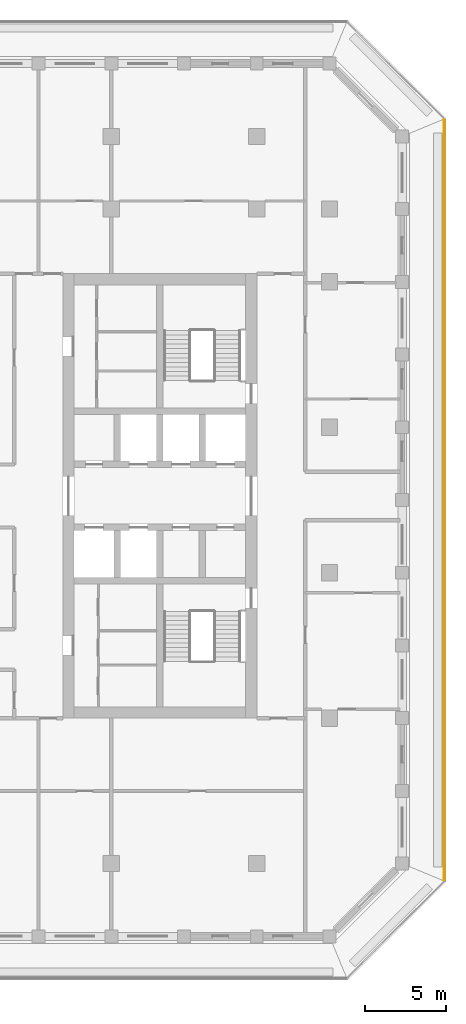
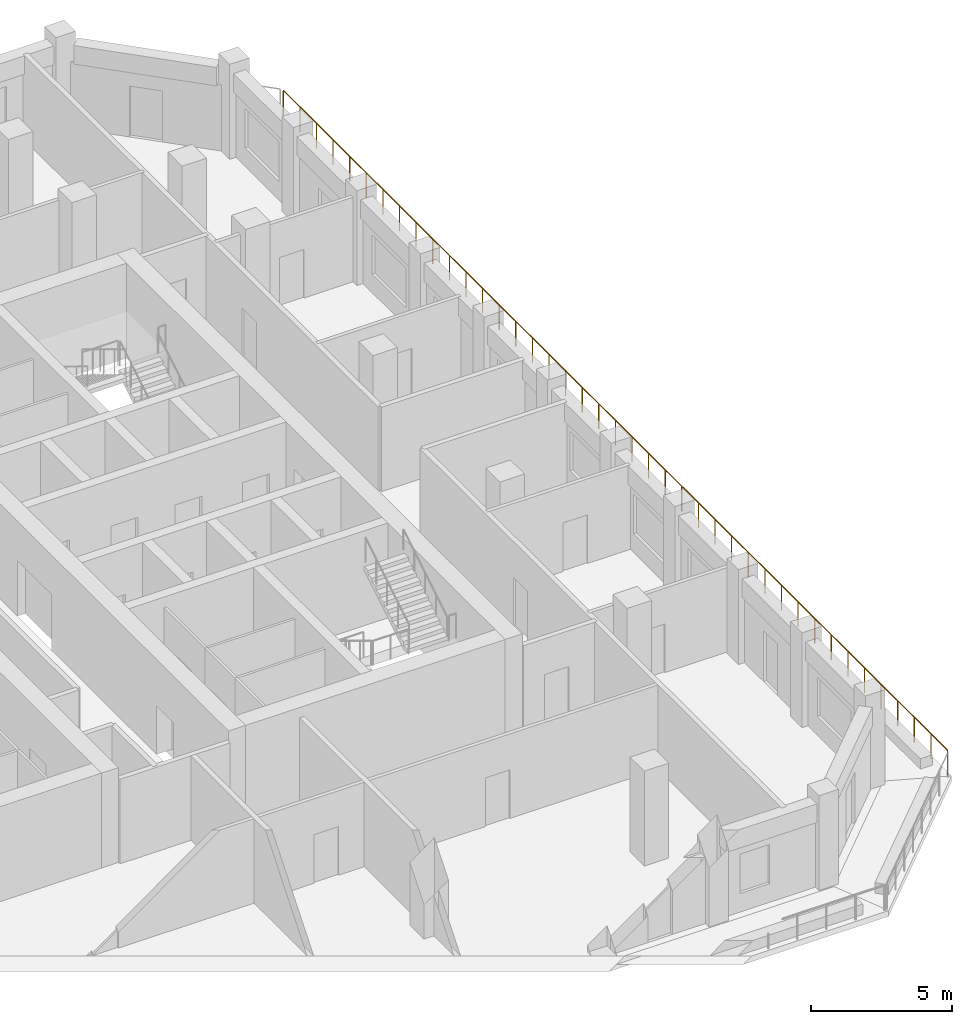
# One storey, part 13 of 17: 1 railing.
"""IFC4 building model written with IfcOpenShell, lengths in metres."""

import ifcopenshell
import ifcopenshell.guid

model = None  # the IFC model being written
_history = None  # IfcOwnerHistory: only IFC2X3 demands one
_inside = {}  # id of a spatial element -> (the spatial element, [elements in it])
_under = {}  # id of a project, library or spatial element -> (it, [spatial elements below it])
_declared = {}  # id of a project -> (the project, [libraries it declares])
_typed = {}  # id of a type object -> (the type object, [elements of that type])
_made_of = {}  # id of a material, layer set ... -> (it, [elements and type objects made of it])


def new_model(schema):
    """Start an empty IFC model of exactly this schema.

    Asked for "IFC4X3", IfcOpenShell would pick the latest addendum, in which some entities
    have other attributes; the version numbers below select the first issue.
    IFC2X3 requires an IfcOwnerHistory on every rooted entity: one is made here for all.
    """
    global model, _history
    if schema == "IFC4X3":
        model = ifcopenshell.file(schema_version=(4, 3, 0, 0))
    else:
        model = ifcopenshell.file(schema=schema)
    _inside.clear()
    _under.clear()
    _declared.clear()
    _typed.clear()
    _made_of.clear()
    _history = None
    if model.schema == "IFC2X3":
        org = make("IfcOrganization", Name="unknown")
        user = make(
            "IfcPersonAndOrganization",
            ThePerson=make("IfcPerson", FamilyName="unknown"),
            TheOrganization=org,
        )
        app = make(
            "IfcApplication",
            ApplicationDeveloper=org,
            Version="unknown",
            ApplicationFullName="unknown",
            ApplicationIdentifier="unknown",
        )
        _history = make(
            "IfcOwnerHistory",
            OwningUser=user,
            OwningApplication=app,
            ChangeAction="ADDED",
            CreationDate=0,
        )
    return model


def make(cls, **values):
    """One entity of the class cls with the attributes given. An attribute that is None is left unset."""
    return model.create_entity(
        cls, **{name: value for name, value in values.items() if value is not None}
    )


def rooted(cls, **values):
    """An entity with a GlobalId (a new one), such as an element, a storey or a relation."""
    return make(cls, GlobalId=ifcopenshell.guid.new(), OwnerHistory=_history, **values)


def si_unit(unit_type, name, prefix=None):
    """IfcSIUnit, for example si_unit("LENGTHUNIT", "METRE", prefix="MILLI")."""
    return make("IfcSIUnit", UnitType=unit_type, Prefix=prefix, Name=name)


def assignment(units):
    """IfcUnitAssignment: the units of a project."""
    return None if units is None else make("IfcUnitAssignment", Units=units)


def point(xyz):
    """IfcCartesianPoint."""
    return None if xyz is None else make("IfcCartesianPoint", Coordinates=xyz)


def direction(xyz):
    """IfcDirection."""
    return None if xyz is None else make("IfcDirection", DirectionRatios=xyz)


def frame(location, z_axis=None, x_axis=None):
    """IfcAxis2Placement3D, a coordinate frame: its origin and axes. An axis left out is left unset."""
    return make(
        "IfcAxis2Placement3D",
        Location=point(location),
        Axis=direction(z_axis),
        RefDirection=direction(x_axis),
    )


def frame_2d(location, x_axis=None):
    """IfcAxis2Placement2D, a coordinate frame in the plane: its origin and x axis."""
    return make(
        "IfcAxis2Placement2D", Location=point(location), RefDirection=direction(x_axis)
    )


def origin():
    """The frame at (0, 0, 0) with its axes left unset."""
    return frame((0.0, 0.0, 0.0))


def origin_2d():
    """The frame at (0, 0) in the plane with its x axis left unset."""
    return frame_2d((0.0, 0.0))


def place(relative_to, where):
    """IfcLocalPlacement: puts the frame where relative to a parent placement (None: the world)."""
    return make(
        "IfcLocalPlacement", PlacementRelTo=relative_to, RelativePlacement=where
    )


def context(
    kind, dimensions, precision=None, world=None, true_north=None, identifier=None
):
    """IfcGeometricRepresentationContext, for example the 3D "Model" context."""
    return make(
        "IfcGeometricRepresentationContext",
        ContextIdentifier=identifier,
        ContextType=kind,
        CoordinateSpaceDimension=dimensions,
        Precision=precision,
        WorldCoordinateSystem=world,
        TrueNorth=true_north,
    )


def subcontext(parent, identifier, kind, view, scale=None):
    """IfcGeometricRepresentationSubContext, for example "Body" below "Model"."""
    return make(
        "IfcGeometricRepresentationSubContext",
        ContextIdentifier=identifier,
        ContextType=kind,
        ParentContext=parent,
        TargetScale=scale,
        TargetView=view,
    )


def project(units=None, contexts=None):
    """IfcProject with its units and contexts."""
    return rooted(
        "IfcProject",
        Name="project",
        RepresentationContexts=contexts,
        UnitsInContext=assignment(units),
    )


def spatial(cls, under=None, at=None, **own):
    """A site, building, storey or space (cls), placed at a placement, below another one or the project."""
    s = rooted(cls, ObjectPlacement=at, **own)
    if under is not None:
        _under.setdefault(under.id(), (under, []))[1].append(s)
    return s


def profile(cls, at=None, kind="AREA", **sizes):
    """A parametric profile (cls). Its sizes go by their IFC names, for example OverallWidth=200.0."""
    return make(cls, ProfileType=kind, Position=at, **sizes)


def circle(**sizes):
    """IfcCircleProfileDef."""
    return profile("IfcCircleProfileDef", **sizes)


def extrude(swept, where, along, depth):
    """IfcExtrudedAreaSolid: the profile swept, set in the frame where, extruded along a direction by depth."""
    return make(
        "IfcExtrudedAreaSolid",
        SweptArea=swept,
        Position=where,
        ExtrudedDirection=direction(along),
        Depth=depth,
    )


def shape(context_of_items, identifier, shape_type, items):
    """IfcShapeRepresentation: the items that make up one representation, for example the "Body"."""
    return make(
        "IfcShapeRepresentation",
        ContextOfItems=context_of_items,
        RepresentationIdentifier=identifier,
        RepresentationType=shape_type,
        Items=items,
    )


def material(Name=None, Category=None):
    """IfcMaterial."""
    return make("IfcMaterial", Name=Name, Category=Category)


def made_of(thing, what):
    """Note that an element or type object is made of a material, layer set ...; save() writes the relation."""
    if what is not None:
        _made_of.setdefault(what.id(), (what, []))[1].append(thing)
    return thing


def type_object(cls, material=None, **own):
    """A type object (cls), such as IfcWallType, which elements share."""
    return made_of(rooted(cls, **own), material)


def element(
    cls,
    number,
    at=None,
    inside=None,
    cuts=None,
    type_object=None,
    material=None,
    context=None,
    identifier="Body",
    shape_type=None,
    held_by="IfcProductDefinitionShape",
    body=None,
    shapes=None,
    **own,
):
    """One element of the class cls, such as IfcWall. Its Tag is "e" and its number.

    at: its placement. inside: the storey or other place that contains it. cuts: it is an
    opening in that element (IfcRelVoidsElement). A single representation is given by context,
    identifier, shape_type and body (its items); several are given by shapes. held_by: the class
    of the entity that holds the representations. save() writes the other relations.
    """
    e = rooted(cls, Tag="e%d" % number, ObjectPlacement=at, **own)
    if body is not None:
        shapes = [shape(context, identifier, shape_type, body)]
    if shapes is not None:
        e.Representation = make(held_by, Representations=shapes)
    if inside is not None:
        _inside.setdefault(inside.id(), (inside, []))[1].append(e)
    if cuts is not None:
        rooted(
            "IfcRelVoidsElement", RelatingBuildingElement=cuts, RelatedOpeningElement=e
        )
    if type_object is not None:
        _typed.setdefault(type_object.id(), (type_object, []))[1].append(e)
    return made_of(e, material)


def aggregate(whole, parts):
    """IfcRelAggregates: a whole, such as a stair, and the parts it consists of."""
    return rooted("IfcRelAggregates", RelatingObject=whole, RelatedObjects=parts)


def save(model, path):
    """Write the relations noted so far, then the file.

    IfcRelAggregates (storeys below a building ...), IfcRelContainedInSpatialStructure (elements
    in a storey), IfcRelDefinesByType, IfcRelAssociatesMaterial and IfcRelDeclares: one each for
    every whole, place, type object, material and project.
    """
    for whole, parts in _under.values():
        aggregate(whole, parts)
    for where, things in _inside.values():
        rooted(
            "IfcRelContainedInSpatialStructure",
            RelatedElements=things,
            RelatingStructure=where,
        )
    for kind, things in _typed.values():
        rooted("IfcRelDefinesByType", RelatedObjects=things, RelatingType=kind)
    for what, things in _made_of.values():
        rooted("IfcRelAssociatesMaterial", RelatedObjects=things, RelatingMaterial=what)
    for by, libraries in _declared.values():
        rooted("IfcRelDeclares", RelatingContext=by, RelatedDefinitions=libraries)
    model.write(path)


model = new_model("IFC4")

# Units and contexts
model_context = context("Model", 3, precision=1e-05, world=origin(), true_north=direction((0.0, 1.0)))
body_context = subcontext(model_context, "Body", "Model", "MODEL_VIEW")
ifc_project = project(units=[si_unit("LENGTHUNIT", "METRE"), si_unit("AREAUNIT", "SQUARE_METRE"), si_unit("VOLUMEUNIT", "CUBIC_METRE"), si_unit("PLANEANGLEUNIT", "RADIAN"), si_unit("MASSUNIT", "GRAM", prefix="KILO")], contexts=[model_context])

# Site, building, storey
site_placement = place(None, origin())
site = spatial("IfcSite", under=ifc_project, at=site_placement, CompositionType="ELEMENT")
building_placement = place(site_placement, origin())
building = spatial("IfcBuilding", under=site, at=building_placement, Name="Corbel Stack Research Tower", CompositionType="ELEMENT")
storey_placement = place(building_placement, frame((0.0, 0.0, 243.89990234375)))
storey = spatial("IfcBuildingStorey", under=building, at=storey_placement, Name="L55", CompositionType="ELEMENT", Elevation=243.89990234375)

# Railing
ifc_material = material(Name="Powder-coated steel guard", Category="steel")
railing_type = type_object("IfcRailingType", Name="Steel and glass guard 1100", PredefinedType="GUARDRAIL", material=ifc_material)
railing_placement = place(storey_placement, frame((29.60009765625, -19.00537109375, 0.0)))
element("IfcRailing", 1, at=railing_placement, inside=storey, type_object=railing_type, Name="Loggia guard L55 E", PredefinedType="GUARDRAIL", context=body_context, shape_type="SweptSolid", body=[
    extrude(circle(Radius=0.02392578125, at=origin_2d()), frame((0.0, 0.0, 1.076171875), z_axis=(0.0, 1.0, 0.0), x_axis=(-1.0, 0.0, 0.0)), (0.0, 0.0, 1.0), 47.0107421875),
    extrude(circle(Radius=0.02099609375, at=origin_2d()), origin(), (0.0, 0.0, 1.0), 1.052001953125),
    extrude(circle(Radius=0.02099609375, at=origin_2d()), frame((0.0, 1.17529296875, 0.0)), (0.0, 0.0, 1.0), 1.052001953125),
    extrude(circle(Radius=0.02099609375, at=origin_2d()), frame((0.0, 2.3505859375, 0.0)), (0.0, 0.0, 1.0), 1.052001953125),
    extrude(circle(Radius=0.02099609375, at=origin_2d()), frame((0.0, 3.52587890625, 0.0)), (0.0, 0.0, 1.0), 1.052001953125),
    extrude(circle(Radius=0.02099609375, at=origin_2d()), frame((0.0, 4.701171875, 0.0)), (0.0, 0.0, 1.0), 1.052001953125),
    extrude(circle(Radius=0.02099609375, at=origin_2d()), frame((0.0, 5.87646484375, 0.0)), (0.0, 0.0, 1.0), 1.052001953125),
    extrude(circle(Radius=0.02099609375, at=origin_2d()), frame((0.0, 7.051513671875, 0.0)), (0.0, 0.0, 1.0), 1.052001953125),
    extrude(circle(Radius=0.02099609375, at=origin_2d()), frame((0.0, 8.226806640625, 0.0)), (0.0, 0.0, 1.0), 1.052001953125),
    extrude(circle(Radius=0.02099609375, at=origin_2d()), frame((0.0, 9.402099609375, 0.0)), (0.0, 0.0, 1.0), 1.052001953125),
    extrude(circle(Radius=0.02099609375, at=origin_2d()), frame((0.0, 10.577392578125, 0.0)), (0.0, 0.0, 1.0), 1.052001953125),
    extrude(circle(Radius=0.02099609375, at=origin_2d()), frame((0.0, 11.752685546875, 0.0)), (0.0, 0.0, 1.0), 1.052001953125),
    extrude(circle(Radius=0.02099609375, at=origin_2d()), frame((0.0, 12.927978515625, 0.0)), (0.0, 0.0, 1.0), 1.052001953125),
    extrude(circle(Radius=0.02099609375, at=origin_2d()), frame((0.0, 14.103271484375, 0.0)), (0.0, 0.0, 1.0), 1.052001953125),
    extrude(circle(Radius=0.02099609375, at=origin_2d()), frame((0.0, 15.278564453125, 0.0)), (0.0, 0.0, 1.0), 1.052001953125),
    extrude(circle(Radius=0.02099609375, at=origin_2d()), frame((0.0, 16.453857421875, 0.0)), (0.0, 0.0, 1.0), 1.052001953125),
    extrude(circle(Radius=0.02099609375, at=origin_2d()), frame((0.0, 17.62890625, 0.0)), (0.0, 0.0, 1.0), 1.052001953125),
    extrude(circle(Radius=0.02099609375, at=origin_2d()), frame((0.0, 18.80419921875, 0.0)), (0.0, 0.0, 1.0), 1.052001953125),
    extrude(circle(Radius=0.02099609375, at=origin_2d()), frame((0.0, 19.9794921875, 0.0)), (0.0, 0.0, 1.0), 1.052001953125),
    extrude(circle(Radius=0.02099609375, at=origin_2d()), frame((0.0, 21.15478515625, 0.0)), (0.0, 0.0, 1.0), 1.052001953125),
    extrude(circle(Radius=0.02099609375, at=origin_2d()), frame((0.0, 22.330078125, 0.0)), (0.0, 0.0, 1.0), 1.052001953125),
    extrude(circle(Radius=0.02099609375, at=origin_2d()), frame((0.0, 23.50537109375, 0.0)), (0.0, 0.0, 1.0), 1.052001953125),
    extrude(circle(Radius=0.02099609375, at=origin_2d()), frame((0.0, 24.6806640625, 0.0)), (0.0, 0.0, 1.0), 1.052001953125),
    extrude(circle(Radius=0.02099609375, at=origin_2d()), frame((0.0, 25.85595703125, 0.0)), (0.0, 0.0, 1.0), 1.052001953125),
    extrude(circle(Radius=0.02099609375, at=origin_2d()), frame((0.0, 27.03125, 0.0)), (0.0, 0.0, 1.0), 1.052001953125),
    extrude(circle(Radius=0.02099609375, at=origin_2d()), frame((0.0, 28.20654296875, 0.0)), (0.0, 0.0, 1.0), 1.052001953125),
    extrude(circle(Radius=0.02099609375, at=origin_2d()), frame((0.0, 29.3818359375, 0.0)), (0.0, 0.0, 1.0), 1.052001953125),
    extrude(circle(Radius=0.02099609375, at=origin_2d()), frame((0.0, 30.556884765625, 0.0)), (0.0, 0.0, 1.0), 1.052001953125),
    extrude(circle(Radius=0.02099609375, at=origin_2d()), frame((0.0, 31.732177734375, 0.0)), (0.0, 0.0, 1.0), 1.052001953125),
    extrude(circle(Radius=0.02099609375, at=origin_2d()), frame((0.0, 32.907470703125, 0.0)), (0.0, 0.0, 1.0), 1.052001953125),
    extrude(circle(Radius=0.02099609375, at=origin_2d()), frame((0.0, 34.082763671875, 0.0)), (0.0, 0.0, 1.0), 1.052001953125),
    extrude(circle(Radius=0.02099609375, at=origin_2d()), frame((0.0, 35.258056640625, 0.0)), (0.0, 0.0, 1.0), 1.052001953125),
    extrude(circle(Radius=0.02099609375, at=origin_2d()), frame((0.0, 36.433349609375, 0.0)), (0.0, 0.0, 1.0), 1.052001953125),
    extrude(circle(Radius=0.02099609375, at=origin_2d()), frame((0.0, 37.608642578125, 0.0)), (0.0, 0.0, 1.0), 1.052001953125),
    extrude(circle(Radius=0.02099609375, at=origin_2d()), frame((0.0, 38.783935546875, 0.0)), (0.0, 0.0, 1.0), 1.052001953125),
    extrude(circle(Radius=0.02099609375, at=origin_2d()), frame((0.0, 39.959228515625, 0.0)), (0.0, 0.0, 1.0), 1.052001953125),
    extrude(circle(Radius=0.02099609375, at=origin_2d()), frame((0.0, 41.13427734375, 0.0)), (0.0, 0.0, 1.0), 1.052001953125),
    extrude(circle(Radius=0.02099609375, at=origin_2d()), frame((0.0, 42.3095703125, 0.0)), (0.0, 0.0, 1.0), 1.052001953125),
    extrude(circle(Radius=0.02099609375, at=origin_2d()), frame((0.0, 43.48486328125, 0.0)), (0.0, 0.0, 1.0), 1.052001953125),
    extrude(circle(Radius=0.02099609375, at=origin_2d()), frame((0.0, 44.66015625, 0.0)), (0.0, 0.0, 1.0), 1.052001953125),
    extrude(circle(Radius=0.02099609375, at=origin_2d()), frame((0.0, 45.83544921875, 0.0)), (0.0, 0.0, 1.0), 1.052001953125),
    extrude(circle(Radius=0.02099609375, at=origin_2d()), frame((0.0, 47.0107421875, 0.0)), (0.0, 0.0, 1.0), 1.052001953125),
])

save(model, "model.ifc")
